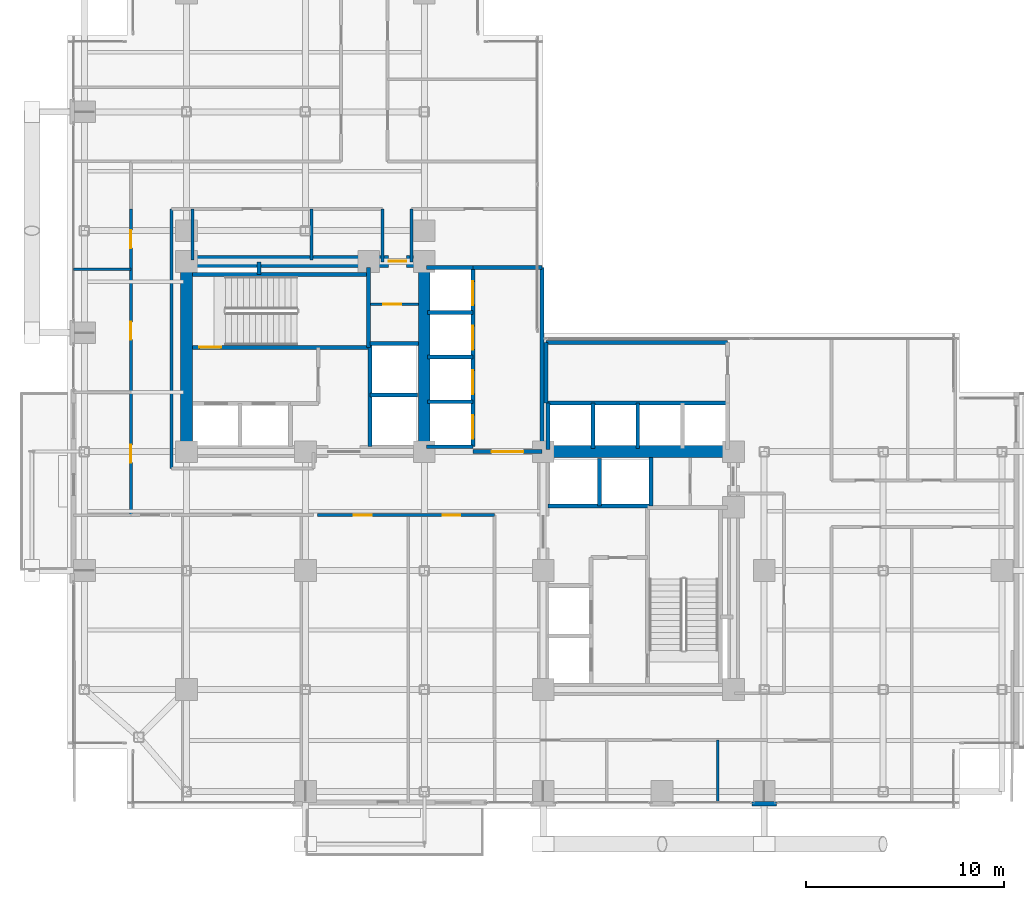
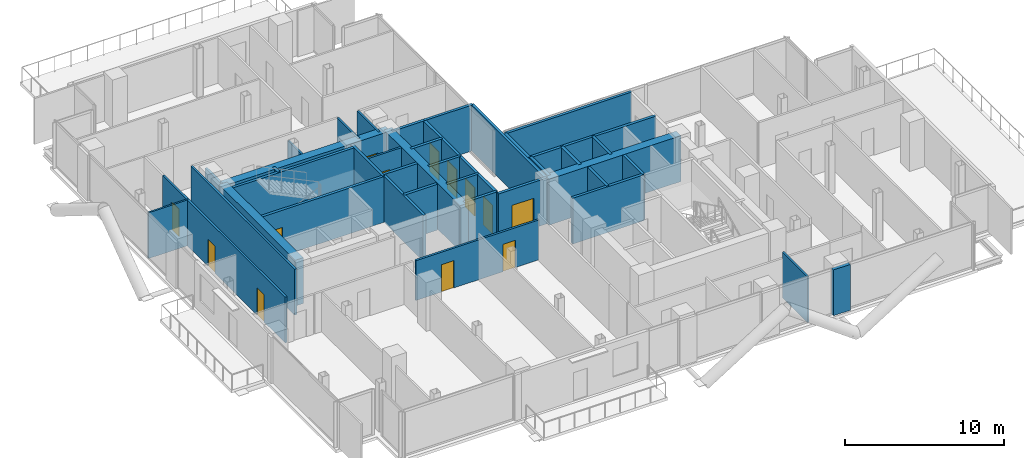
# One storey, part 21 of 26: 40 walls, 13 doors, 13 openings.
"""IFC4 building model written with IfcOpenShell, lengths in metres."""

from ifc_helpers import new_model, si_unit, direction, frame, frame_2d, origin, place, context, subcontext, project, spatial, rectangle, extrude, material, layer, layer_set, type_object, element, fill, save


model = new_model("IFC4")

# Units and contexts
model_context = context("Model", 3, precision=1e-05, world=origin(), true_north=direction((0.0, 1.0)))
body_context = subcontext(model_context, "Body", "Model", "MODEL_VIEW")
ifc_project = project(units=[si_unit("LENGTHUNIT", "METRE"), si_unit("AREAUNIT", "SQUARE_METRE"), si_unit("VOLUMEUNIT", "CUBIC_METRE"), si_unit("PLANEANGLEUNIT", "RADIAN"), si_unit("MASSUNIT", "GRAM", prefix="KILO"), si_unit("THERMODYNAMICTEMPERATUREUNIT", "KELVIN"), si_unit("POWERUNIT", "WATT")], contexts=[model_context])

# Site, building, storey
site_placement = place(None, origin())
site = spatial("IfcSite", under=ifc_project, at=site_placement, CompositionType="ELEMENT")
building_placement = place(site_placement, origin())
building = spatial("IfcBuilding", under=site, at=building_placement, Name="Svarakhadi Broadcast Tower", CompositionType="ELEMENT")
storey_placement = place(building_placement, frame((0.0, 0.0, 99.60009765625)))
storey = spatial("IfcBuildingStorey", under=building, at=storey_placement, Name="L23", CompositionType="ELEMENT", Elevation=99.60009765625)

# Walls
ifc_material_1 = material(Name="Concrete C40/50 (IS 456 M50)", Category="concrete")
ifc_layer_1 = layer(ifc_material_1, 0.239990234375)
ifc_layer_set_1 = layer_set([ifc_layer_1], Name="Concrete C40/50 (IS 456 M50)")
wall_type_1 = type_object("IfcWallType", Name="Wall_Ext_240", PredefinedType="SOLIDWALL", material=ifc_layer_set_1)
wall_1_placement = place(storey_placement, frame((35.764892578125, 0.239990234375, 0.0), z_axis=(0.0, 0.0, 1.0), x_axis=(-1.0, 0.0, 0.0)))
element("IfcWall", 1, at=wall_1_placement, inside=storey, type_object=wall_type_1, Name="L23 Perimeter Bronze Spandrel Closure Wall 04", PredefinedType="SOLIDWALL", context=body_context, shape_type="SweptSolid", body=[
    extrude(rectangle(XDim=1.22998046875, YDim=0.239990234375, at=frame_2d((0.614990234375, 0.0))), origin(), (0.0, 0.0, 1.0), 3.52490234375),
])
ifc_layer_2 = layer(ifc_material_1, 0.199951171875)
ifc_layer_set_2 = layer_set([ifc_layer_2], Name="Concrete C40/50 (IS 456 M50)")
wall_type_2 = type_object("IfcWallType", Name="Wall_Fire_200", PredefinedType="SOLIDWALL", material=ifc_layer_set_2)
wall_2_placement = place(storey_placement, frame((9.659912109375, 26.93994140625, 0.0), z_axis=(0.0, 0.0, 1.0), x_axis=(0.0, 1.0, 0.0)))
element("IfcWall", 2, at=wall_2_placement, inside=storey, type_object=wall_type_2, Name="L23 Wet Riser Shaft East Wall", PredefinedType="SOLIDWALL", context=body_context, shape_type="SweptSolid", body=[
    extrude(rectangle(XDim=0.64013671875, YDim=0.199951171875, at=frame_2d((0.320068359375, 0.0))), origin(), (0.0, 0.0, 1.0), 3.52490234375),
])
ifc_material_2 = material(Name="Fire-Rated Moisture-Resistant Gypsum Board Partition", Category="gypsum")
ifc_layer_3 = layer(ifc_material_2, 0.125)
ifc_layer_set_3 = layer_set([ifc_layer_3], Name="Fire-Rated Moisture-Resistant Gypsum Board Partition")
wall_type_3 = type_object("IfcWallType", Name="Wall_Part_125", PredefinedType="PARTITIONING", material=ifc_layer_set_3)
wall_3_placement = place(storey_placement, frame((0.300048828125, 27.199951171875, 0.0), z_axis=(0.0, 0.0, 1.0), x_axis=(1.0, 0.0, 0.0)))
element("IfcWall", 3, at=wall_3_placement, inside=storey, type_object=wall_type_3, Name="L23 Live Translation Studio Wall", PredefinedType="PARTITIONING", context=body_context, shape_type="SweptSolid", body=[
    extrude(rectangle(XDim=2.89990234375, YDim=0.125, at=frame_2d((1.449951171875, 0.0))), origin(), (0.0, 0.0, 1.0), 3.52490234375),
])
wall_4_placement = place(storey_placement, frame((32.800048828125, 0.300048828125, 0.0), z_axis=(0.0, 0.0, 1.0), x_axis=(0.0, 1.0, 0.0)))
element("IfcWall", 4, at=wall_4_placement, inside=storey, type_object=wall_type_3, Name="L23 Media Legal Review Office Wall", PredefinedType="PARTITIONING", context=body_context, shape_type="SweptSolid", body=[
    extrude(rectangle(XDim=3.14990234375, YDim=0.125, at=frame_2d((1.574951171875, 0.0))), origin(), (0.0, 0.0, 1.0), 3.52490234375),
])

# Wall, opening, door
ifc_material_3 = material(Name="Autoclaved Aerated Concrete Blockwork 150 mm", Category="masonry")
ifc_layer_4 = layer(ifc_material_3, 0.14990234375)
ifc_layer_set_4 = layer_set([ifc_layer_4], Name="Autoclaved Aerated Concrete Blockwork 150 mm")
wall_type_4 = type_object("IfcWallType", Name="Wall_Part_150", PredefinedType="PARTITIONING", material=ifc_layer_set_4)
wall_5_placement = place(storey_placement, frame((15.280029296875, 25.43994140625, 0.0), z_axis=(0.0, 0.0, 1.0), x_axis=(1.0, 0.0, 0.0)))
wall_5 = element("IfcWall", 5, at=wall_5_placement, inside=storey, type_object=wall_type_4, Name="L23 West Core Dual Store Wall", PredefinedType="PARTITIONING", context=body_context, shape_type="SweptSolid", body=[
    extrude(rectangle(XDim=2.419921875, YDim=0.14990234375, at=frame_2d((1.2099609375, 0.0))), origin(), (0.0, 0.0, 1.0), 3.52490234375),
])
opening_1_placement = place(wall_5_placement, frame((0.64990234375, 0.0, 0.0)))
opening_1 = element("IfcOpeningElement", 6, at=opening_1_placement, cuts=wall_5, Name="Opening D-03", PredefinedType="OPENING", context=body_context, shape_type="SweptSolid", body=[
    extrude(rectangle(XDim=0.89990234375, YDim=2.14990234375, at=frame_2d((0.449951171875, 1.074951171875))), frame((0.0, 0.0849609375, 0.0), z_axis=(0.0, -1.0, 0.0), x_axis=(1.0, 0.0, 0.0)), (0.0, 0.0, 1.0), 0.169921875),
])
ifc_material_4 = material(Name="Galvanised Powder-Coated Fire-Rated Steel Leaf", Category="steel")
door_type_1 = type_object("IfcDoorType", Name="Door_Fire_D03", OperationType="SINGLE_SWING_LEFT", PredefinedType="DOOR", material=ifc_material_4)
door_1_placement = place(opening_1_placement, origin())
door_1 = element("IfcDoor", 7, at=door_1_placement, inside=storey, type_object=door_type_1, Name="L23 West Core Store B Door", OperationType="SINGLE_SWING_LEFT", OverallHeight=2.14990234375, OverallWidth=0.89990234375, PredefinedType="DOOR", context=body_context, shape_type="SweptSolid", body=[
    extrude(rectangle(XDim=0.89990234375, YDim=2.14990234375, at=frame_2d((0.449951171875, 1.074951171875))), frame((0.0, 0.02490234375, 0.0), z_axis=(0.0, -1.0, 0.0), x_axis=(1.0, 0.0, 0.0)), (0.0, 0.0, 1.0), 0.050048828125),
])
fill(opening_1, door_1)

# Wall, openings, doors
wall_6_placement = place(storey_placement, frame((21.550048828125, 14.800048828125, 0.0), z_axis=(0.0, 0.0, 1.0), x_axis=(-1.0, 0.0, 0.0)))
wall_6 = element("IfcWall", 8, at=wall_6_placement, inside=storey, type_object=wall_type_4, Name="L23 Broadcast Corridor Wall", PredefinedType="PARTITIONING", context=body_context, shape_type="SweptSolid", body=[
    extrude(rectangle(XDim=8.949951171875, YDim=0.14990234375, at=frame_2d((4.47509765625, 0.0))), origin(), (0.0, 0.0, 1.0), 3.06689453125),
])
opening_2_placement = place(wall_6_placement, frame((6.199951171875, 0.0, 0.0)))
opening_2 = element("IfcOpeningElement", 9, at=opening_2_placement, cuts=wall_6, Name="Opening D-14", PredefinedType="OPENING", context=body_context, shape_type="SweptSolid", body=[
    extrude(rectangle(XDim=0.89990234375, YDim=2.10009765625, at=frame_2d((0.449951171875, 1.050048828125))), frame((0.0, 0.0849609375, 0.0), z_axis=(0.0, -1.0, 0.0), x_axis=(1.0, 0.0, 0.0)), (0.0, 0.0, 1.0), 0.169921875),
])
opening_3_placement = place(wall_6_placement, frame((1.72509765625, 0.0, 0.0)))
opening_3 = element("IfcOpeningElement", 10, at=opening_3_placement, cuts=wall_6, Name="Opening D-15", PredefinedType="OPENING", context=body_context, shape_type="SweptSolid", body=[
    extrude(rectangle(XDim=0.89990234375, YDim=2.10009765625, at=frame_2d((0.449951171875, 1.050048828125))), frame((0.0, 0.0849609375, 0.0), z_axis=(0.0, -1.0, 0.0), x_axis=(1.0, 0.0, 0.0)), (0.0, 0.0, 1.0), 0.169921875),
])
ifc_material_5 = material(Name="Solid-Core Teak Veneer Acoustic Timber Leaf", Category="wood")
door_type_2 = type_object("IfcDoorType", Name="Door_Int_D14", OperationType="SINGLE_SWING_LEFT", PredefinedType="DOOR", material=ifc_material_5)
door_2_placement = place(opening_2_placement, origin())
door_2 = element("IfcDoor", 11, at=door_2_placement, inside=storey, type_object=door_type_2, Name="L23 Regional Editors Room Door", OperationType="SINGLE_SWING_LEFT", OverallHeight=2.10009765625, OverallWidth=0.89990234375, PredefinedType="DOOR", context=body_context, shape_type="SweptSolid", body=[
    extrude(rectangle(XDim=0.89990234375, YDim=2.10009765625, at=frame_2d((0.449951171875, 1.050048828125))), frame((0.0, 0.02490234375, 0.0), z_axis=(0.0, -1.0, 0.0), x_axis=(1.0, 0.0, 0.0)), (0.0, 0.0, 1.0), 0.050048828125),
])
fill(opening_2, door_2)
door_type_3 = type_object("IfcDoorType", Name="Door_Int_D15", OperationType="SINGLE_SWING_RIGHT", PredefinedType="DOOR", material=ifc_material_5)
door_3_placement = place(opening_3_placement, origin())
door_3 = element("IfcDoor", 12, at=door_3_placement, inside=storey, type_object=door_type_3, Name="L23 Tea Pantry Door", OperationType="SINGLE_SWING_RIGHT", OverallHeight=2.10009765625, OverallWidth=0.89990234375, PredefinedType="DOOR", context=body_context, shape_type="SweptSolid", body=[
    extrude(rectangle(XDim=0.89990234375, YDim=2.10009765625, at=frame_2d((0.449951171875, 1.050048828125))), frame((0.0, 0.02490234375, 0.0), z_axis=(0.0, -1.0, 0.0), x_axis=(1.0, 0.0, 0.0)), (0.0, 0.0, 1.0), 0.050048828125),
])
fill(opening_3, door_3)

wall_7_placement = place(storey_placement, frame((3.199951171875, 14.800048828125, 0.0), z_axis=(0.0, 0.0, 1.0), x_axis=(0.0, 1.0, 0.0)))
wall_7 = element("IfcWall", 13, at=wall_7_placement, inside=storey, type_object=wall_type_4, Name="L23 Broadcast Corridor Wall", PredefinedType="PARTITIONING", context=body_context, shape_type="SweptSolid", body=[
    extrude(rectangle(XDim=15.449951171875, YDim=0.14990234375, at=frame_2d((7.72509765625, 0.0))), origin(), (0.0, 0.0, 1.0), 3.52490234375),
])
opening_4_placement = place(wall_7_placement, frame((2.64990234375, 0.0, 0.0)))
opening_4 = element("IfcOpeningElement", 14, at=opening_4_placement, cuts=wall_7, Name="Opening D-14", PredefinedType="OPENING", context=body_context, shape_type="SweptSolid", body=[
    extrude(rectangle(XDim=0.89990234375, YDim=2.10009765625, at=frame_2d((0.449951171875, 1.050048828125))), frame((0.0, 0.0849609375, 0.0), z_axis=(0.0, -1.0, 0.0), x_axis=(1.0, 0.0, 0.0)), (0.0, 0.0, 1.0), 0.169921875),
])
opening_5_placement = place(wall_7_placement, frame((8.85009765625, 0.0, 0.0)))
opening_5 = element("IfcOpeningElement", 15, at=opening_5_placement, cuts=wall_7, Name="Opening D-15", PredefinedType="OPENING", context=body_context, shape_type="SweptSolid", body=[
    extrude(rectangle(XDim=0.89990234375, YDim=2.10009765625, at=frame_2d((0.449951171875, 1.050048828125))), frame((0.0, 0.0849609375, 0.0), z_axis=(0.0, -1.0, 0.0), x_axis=(1.0, 0.0, 0.0)), (0.0, 0.0, 1.0), 0.169921875),
])
opening_6_placement = place(wall_7_placement, frame((13.47509765625, 0.0, 0.0)))
opening_6 = element("IfcOpeningElement", 16, at=opening_6_placement, cuts=wall_7, Name="Opening D-14", PredefinedType="OPENING", context=body_context, shape_type="SweptSolid", body=[
    extrude(rectangle(XDim=0.89990234375, YDim=2.10009765625, at=frame_2d((0.449951171875, 1.050048828125))), frame((0.0, 0.0849609375, 0.0), z_axis=(0.0, -1.0, 0.0), x_axis=(1.0, 0.0, 0.0)), (0.0, 0.0, 1.0), 0.169921875),
])
door_4_placement = place(opening_4_placement, origin())
door_4 = element("IfcDoor", 17, at=door_4_placement, inside=storey, type_object=door_type_2, Name="L23 Arabian Sea Commentary Booth Door", OperationType="SINGLE_SWING_LEFT", OverallHeight=2.10009765625, OverallWidth=0.89990234375, PredefinedType="DOOR", context=body_context, shape_type="SweptSolid", body=[
    extrude(rectangle(XDim=0.89990234375, YDim=2.10009765625, at=frame_2d((0.449951171875, 1.050048828125))), frame((0.0, 0.02490234375, 0.0), z_axis=(0.0, -1.0, 0.0), x_axis=(1.0, 0.0, 0.0)), (0.0, 0.0, 1.0), 0.050048828125),
])
fill(opening_4, door_4)
door_5_placement = place(opening_6_placement, origin())
door_5 = element("IfcDoor", 18, at=door_5_placement, inside=storey, type_object=door_type_2, Name="L23 Producer Quiet Lounge Door", OperationType="SINGLE_SWING_LEFT", OverallHeight=2.10009765625, OverallWidth=0.89990234375, PredefinedType="DOOR", context=body_context, shape_type="SweptSolid", body=[
    extrude(rectangle(XDim=0.89990234375, YDim=2.10009765625, at=frame_2d((0.449951171875, 1.050048828125))), frame((0.0, 0.02490234375, 0.0), z_axis=(0.0, -1.0, 0.0), x_axis=(1.0, 0.0, 0.0)), (0.0, 0.0, 1.0), 0.050048828125),
])
fill(opening_6, door_5)
door_6_placement = place(opening_5_placement, origin())
door_6 = element("IfcDoor", 19, at=door_6_placement, inside=storey, type_object=door_type_3, Name="L23 Live Translation Studio Door", OperationType="SINGLE_SWING_RIGHT", OverallHeight=2.10009765625, OverallWidth=0.89990234375, PredefinedType="DOOR", context=body_context, shape_type="SweptSolid", body=[
    extrude(rectangle(XDim=0.89990234375, YDim=2.10009765625, at=frame_2d((0.449951171875, 1.050048828125))), frame((0.0, 0.02490234375, 0.0), z_axis=(0.0, -1.0, 0.0), x_axis=(1.0, 0.0, 0.0)), (0.0, 0.0, 1.0), 0.050048828125),
])
fill(opening_5, door_6)

# Walls
for number, where, z_axis, x_axis, name in (
    (20, (17.35009765625, 30.25, 0.0), (0.0, 0.0, 1.0), (0.0, -1.0, 0.0), "L23 Broadcast Corridor Wall"),
    (21, (15.8798828125, 27.580078125, 0.0), (0.0, 0.0, 1.0), (0.0, 1.0, 0.0), "L23 Broadcast Corridor Wall"),
):
    element("IfcWall", number, at=place(storey_placement, frame(where, z_axis=z_axis, x_axis=x_axis)), inside=storey, type_object=wall_type_4, Name=name, PredefinedType="PARTITIONING", context=body_context, shape_type="SweptSolid", body=[
        extrude(rectangle(XDim=2.669921875, YDim=0.14990234375, at=frame_2d((1.3349609375, 0.0))), origin(), (0.0, 0.0, 1.0), 3.52490234375),
    ])
wall_8_placement = place(storey_placement, frame((5.25, 30.25, 0.0), z_axis=(0.0, 0.0, 1.0), x_axis=(0.0, -1.0, 0.0)))
element("IfcWall", 22, at=wall_8_placement, inside=storey, type_object=wall_type_4, Name="L23 Broadcast Corridor Wall", PredefinedType="PARTITIONING", context=body_context, shape_type="SweptSolid", body=[
    extrude(rectangle(XDim=13.10009765625, YDim=0.14990234375, at=frame_2d((6.550048828125, 0.0))), origin(), (0.0, 0.0, 1.0), 3.52490234375),
])
for number, where, z_axis, x_axis, name in (
    (23, (6.300048828125, 27.679931640625, 0.0), (0.0, 0.0, 1.0), (0.0, 1.0, 0.0), "L23 Accessible Toilet WC Wall"),
    (24, (12.300048828125, 27.679931640625, 0.0), (0.0, 0.0, 1.0), (0.0, 1.0, 0.0), "L23 Accessible Toilet WC Wall"),
):
    element("IfcWall", number, at=place(storey_placement, frame(where, z_axis=z_axis, x_axis=x_axis)), inside=storey, type_object=wall_type_4, Name=name, PredefinedType="PARTITIONING", context=body_context, shape_type="SweptSolid", body=[
        extrude(rectangle(XDim=2.570068359375, YDim=0.14990234375, at=frame_2d((1.28515625, 0.0))), origin(), (0.0, 0.0, 1.0), 3.016845703125),
    ])

# Wall, opening, door
ifc_material_6 = material(Name="Concrete C50/60 (IS 456 M60)", Category="concrete")
ifc_layer_5 = layer(ifc_material_6, 0.199951171875)
ifc_layer_set_5 = layer_set([ifc_layer_5], Name="Concrete C50/60 (IS 456 M60)")
wall_type_5 = type_object("IfcWallType", Name="Wall_Shear_200", PredefinedType="SHEAR", material=ifc_layer_set_5)
wall_9_placement = place(storey_placement, frame((6.300048828125, 23.260009765625, 0.0), z_axis=(0.0, 0.0, 1.0), x_axis=(1.0, 0.0, 0.0)))
wall_9 = element("IfcWall", 25, at=wall_9_placement, inside=storey, type_object=wall_type_5, Name="L23 Stair ST-01 South RC Shaft Wall", PredefinedType="SHEAR", context=body_context, shape_type="SweptSolid", body=[
    extrude(rectangle(XDim=8.8798828125, YDim=0.199951171875, at=frame_2d((4.43994140625, 0.0))), origin(), (0.0, 0.0, 1.0), 3.52490234375),
])
opening_7_placement = place(wall_9_placement, frame((0.35009765625, 0.0, 0.0)))
opening_7 = element("IfcOpeningElement", 26, at=opening_7_placement, cuts=wall_9, Name="Opening D-01", PredefinedType="OPENING", context=body_context, shape_type="SweptSolid", body=[
    extrude(rectangle(XDim=1.10009765625, YDim=2.199951171875, at=frame_2d((0.550048828125, 1.10009765625))), frame((0.0, 0.10986328125, 0.0), z_axis=(0.0, -1.0, 0.0), x_axis=(1.0, 0.0, 0.0)), (0.0, 0.0, 1.0), 0.219970703125),
])
door_type_4 = type_object("IfcDoorType", Name="Door_Stair_D01", OperationType="SINGLE_SWING_LEFT", PredefinedType="DOOR", material=ifc_material_4)
door_7_placement = place(opening_7_placement, origin())
door_7 = element("IfcDoor", 27, at=door_7_placement, inside=storey, type_object=door_type_4, Name="L23 Protected Exit Stair ST-01 Fire Door", OperationType="SINGLE_SWING_LEFT", OverallHeight=2.199951171875, OverallWidth=1.10009765625, PredefinedType="DOOR", context=body_context, shape_type="SweptSolid", body=[
    extrude(rectangle(XDim=1.10009765625, YDim=2.199951171875, at=frame_2d((0.550048828125, 1.10009765625))), frame((0.0, 0.02490234375, 0.0), z_axis=(0.0, -1.0, 0.0), x_axis=(1.0, 0.0, 0.0)), (0.0, 0.0, 1.0), 0.050048828125),
])
fill(opening_7, door_7)

# Walls
wall_10_placement = place(storey_placement, frame((6.300048828125, 26.93994140625, 0.0), z_axis=(0.0, 0.0, 1.0), x_axis=(1.0, 0.0, 0.0)))
element("IfcWall", 28, at=wall_10_placement, inside=storey, type_object=wall_type_5, Name="L23 Stair ST-01 North RC Shaft Wall", PredefinedType="SHEAR", context=body_context, shape_type="SweptSolid", body=[
    extrude(rectangle(XDim=8.8798828125, YDim=0.199951171875, at=frame_2d((4.43994140625, 0.0))), origin(), (0.0, 0.0, 1.0), 3.52490234375),
])
wall_11_placement = place(storey_placement, frame((15.179931640625, 23.260009765625, 0.0), z_axis=(0.0, 0.0, 1.0), x_axis=(0.0, 1.0, 0.0)))
element("IfcWall", 29, at=wall_11_placement, inside=storey, type_object=wall_type_5, Name="L23 Stair ST-01 East RC Shaft Wall", PredefinedType="SHEAR", context=body_context, shape_type="SweptSolid", body=[
    extrude(rectangle(XDim=4.0400390625, YDim=0.199951171875, at=frame_2d((2.02001953125, 0.0))), origin(), (0.0, 0.0, 1.0), 3.52490234375),
])
wall_12_placement = place(storey_placement, frame((15.25, 18.25, 0.0), z_axis=(0.0, 0.0, 1.0), x_axis=(0.0, 1.0, 0.0)))
element("IfcWall", 30, at=wall_12_placement, inside=storey, type_object=wall_type_5, Name="L23 High-Rise Lift LF-13/14 West Shaft Wall", PredefinedType="SHEAR", context=body_context, shape_type="SweptSolid", body=[
    extrude(rectangle(XDim=5.199951171875, YDim=0.199951171875, at=frame_2d((2.60009765625, 0.0))), origin(), (0.0, 0.0, 1.0), 3.52490234375),
])
wall_13_placement = place(storey_placement, frame((15.25, 20.85009765625, 0.0), z_axis=(0.0, 0.0, 1.0), x_axis=(1.0, 0.0, 0.0)))
element("IfcWall", 31, at=wall_13_placement, inside=storey, type_object=wall_type_5, Name="L23 High-Rise Lift LF-13/14 Divider", PredefinedType="SHEAR", context=body_context, shape_type="SweptSolid", body=[
    extrude(rectangle(XDim=2.39990234375, YDim=0.199951171875, at=frame_2d((1.199951171875, 0.0))), origin(), (0.0, 0.0, 1.0), 3.52490234375),
])
wall_14_placement = place(storey_placement, frame((15.25, 23.449951171875, 0.0), z_axis=(0.0, 0.0, 1.0), x_axis=(1.0, 0.0, 0.0)))
element("IfcWall", 32, at=wall_14_placement, inside=storey, type_object=wall_type_5, Name="L23 High-Rise Lift LF-13/14 North Wall", PredefinedType="SHEAR", context=body_context, shape_type="SweptSolid", body=[
    extrude(rectangle(XDim=2.449951171875, YDim=0.199951171875, at=frame_2d((1.22509765625, 0.0))), origin(), (0.0, 0.0, 1.0), 3.52490234375),
])
wall_15_placement = place(storey_placement, frame((24.25, 15.25, 0.0), z_axis=(0.0, 0.0, 1.0), x_axis=(1.0, 0.0, 0.0)))
element("IfcWall", 33, at=wall_15_placement, inside=storey, type_object=wall_type_5, Name="L23 High-Rise Lift LF-15/16 South Shaft Wall", PredefinedType="SHEAR", context=body_context, shape_type="SweptSolid", body=[
    extrude(rectangle(XDim=5.199951171875, YDim=0.199951171875, at=frame_2d((2.60009765625, 0.0))), origin(), (0.0, 0.0, 1.0), 3.52490234375),
])
wall_16_placement = place(storey_placement, frame((26.85009765625, 15.25, 0.0), z_axis=(0.0, 0.0, 1.0), x_axis=(0.0, 1.0, 0.0)))
element("IfcWall", 34, at=wall_16_placement, inside=storey, type_object=wall_type_5, Name="L23 High-Rise Lift LF-15/16 Divider", PredefinedType="SHEAR", context=body_context, shape_type="SweptSolid", body=[
    extrude(rectangle(XDim=2.39990234375, YDim=0.199951171875, at=frame_2d((1.199951171875, 0.0))), origin(), (0.0, 0.0, 1.0), 3.52490234375),
])
wall_17_placement = place(storey_placement, frame((29.449951171875, 15.25, 0.0), z_axis=(0.0, 0.0, 1.0), x_axis=(0.0, 1.0, 0.0)))
element("IfcWall", 35, at=wall_17_placement, inside=storey, type_object=wall_type_5, Name="L23 High-Rise Lift LF-15/16 East Wall", PredefinedType="SHEAR", context=body_context, shape_type="SweptSolid", body=[
    extrude(rectangle(XDim=2.449951171875, YDim=0.199951171875, at=frame_2d((1.22509765625, 0.0))), origin(), (0.0, 0.0, 1.0), 3.52490234375),
])
for number, where, z_axis, x_axis, name in (
    (36, (18.10009765625, 27.300048828125, 0.0), (0.0, 0.0, 1.0), (1.0, 0.0, 0.0), "L23 Bank A North Shaft Wall"),
    (37, (18.10009765625, 18.25, 0.0), (0.0, 0.0, 1.0), (1.0, 0.0, 0.0), "L23 Bank A South Shaft Wall"),
):
    element("IfcWall", number, at=place(storey_placement, frame(where, z_axis=z_axis, x_axis=x_axis)), inside=storey, type_object=wall_type_5, Name=name, PredefinedType="SHEAR", context=body_context, shape_type="SweptSolid", body=[
        extrude(rectangle(XDim=2.349853515625, YDim=0.199951171875, at=frame_2d((1.1748046875, 0.0))), origin(), (0.0, 0.0, 1.0), 3.52490234375),
    ])

# Wall, openings, doors
wall_18_placement = place(storey_placement, frame((20.449951171875, 18.25, 0.0), z_axis=(0.0, 0.0, 1.0), x_axis=(0.0, 1.0, 0.0)))
wall_18 = element("IfcWall", 38, at=wall_18_placement, inside=storey, type_object=wall_type_5, Name="L23 Bank A East Landing Wall", PredefinedType="SHEAR", context=body_context, shape_type="SweptSolid", body=[
    extrude(rectangle(XDim=9.050048828125, YDim=0.199951171875, at=frame_2d((4.52490234375, 0.0))), origin(), (0.0, 0.0, 1.0), 3.52490234375),
])
opening_8_placement = place(wall_18_placement, frame((0.39990234375, 0.0, 0.0)))
opening_8 = element("IfcOpeningElement", 39, at=opening_8_placement, cuts=wall_18, Name="Opening LD-02", PredefinedType="OPENING", context=body_context, shape_type="SweptSolid", body=[
    extrude(rectangle(XDim=1.199951171875, YDim=2.199951171875, at=frame_2d((0.60009765625, 1.10009765625))), frame((0.0, 0.10986328125, 0.0), z_axis=(0.0, -1.0, 0.0), x_axis=(1.0, 0.0, 0.0)), (0.0, 0.0, 1.0), 0.219970703125),
])
opening_9_placement = place(wall_18_placement, frame((2.64990234375, 0.0, 0.0)))
opening_9 = element("IfcOpeningElement", 40, at=opening_9_placement, cuts=wall_18, Name="Opening LD-02", PredefinedType="OPENING", context=body_context, shape_type="SweptSolid", body=[
    extrude(rectangle(XDim=1.199951171875, YDim=2.199951171875, at=frame_2d((0.60009765625, 1.10009765625))), frame((0.0, 0.10986328125, 0.0), z_axis=(0.0, -1.0, 0.0), x_axis=(1.0, 0.0, 0.0)), (0.0, 0.0, 1.0), 0.219970703125),
])
opening_10_placement = place(wall_18_placement, frame((4.89990234375, 0.0, 0.0)))
opening_10 = element("IfcOpeningElement", 41, at=opening_10_placement, cuts=wall_18, Name="Opening LD-02", PredefinedType="OPENING", context=body_context, shape_type="SweptSolid", body=[
    extrude(rectangle(XDim=1.199951171875, YDim=2.199951171875, at=frame_2d((0.60009765625, 1.10009765625))), frame((0.0, 0.10986328125, 0.0), z_axis=(0.0, -1.0, 0.0), x_axis=(1.0, 0.0, 0.0)), (0.0, 0.0, 1.0), 0.219970703125),
])
opening_11_placement = place(wall_18_placement, frame((7.14990234375, 0.0, 0.0)))
opening_11 = element("IfcOpeningElement", 42, at=opening_11_placement, cuts=wall_18, Name="Opening LD-02", PredefinedType="OPENING", context=body_context, shape_type="SweptSolid", body=[
    extrude(rectangle(XDim=1.199951171875, YDim=2.199951171875, at=frame_2d((0.60009765625, 1.10009765625))), frame((0.0, 0.10986328125, 0.0), z_axis=(0.0, -1.0, 0.0), x_axis=(1.0, 0.0, 0.0)), (0.0, 0.0, 1.0), 0.219970703125),
])
door_type_5 = type_object("IfcDoorType", Name="Door_Lift_LD02", OperationType="SLIDING_TO_RIGHT", PredefinedType="DOOR", material=ifc_material_4)
door_8_placement = place(opening_8_placement, origin())
door_8 = element("IfcDoor", 43, at=door_8_placement, inside=storey, type_object=door_type_5, Name="L23 Low-Rise Lift LF-05 Landing Door", OperationType="SLIDING_TO_RIGHT", OverallHeight=2.199951171875, OverallWidth=1.199951171875, PredefinedType="DOOR", context=body_context, shape_type="SweptSolid", body=[
    extrude(rectangle(XDim=1.199951171875, YDim=2.199951171875, at=frame_2d((0.60009765625, 1.10009765625))), frame((0.0, 0.02490234375, 0.0), z_axis=(0.0, -1.0, 0.0), x_axis=(1.0, 0.0, 0.0)), (0.0, 0.0, 1.0), 0.050048828125),
])
fill(opening_8, door_8)
door_9_placement = place(opening_9_placement, origin())
door_9 = element("IfcDoor", 44, at=door_9_placement, inside=storey, type_object=door_type_5, Name="L23 Low-Rise Lift LF-06 Landing Door", OperationType="SLIDING_TO_RIGHT", OverallHeight=2.199951171875, OverallWidth=1.199951171875, PredefinedType="DOOR", context=body_context, shape_type="SweptSolid", body=[
    extrude(rectangle(XDim=1.199951171875, YDim=2.199951171875, at=frame_2d((0.60009765625, 1.10009765625))), frame((0.0, 0.02490234375, 0.0), z_axis=(0.0, -1.0, 0.0), x_axis=(1.0, 0.0, 0.0)), (0.0, 0.0, 1.0), 0.050048828125),
])
fill(opening_9, door_9)
door_10_placement = place(opening_10_placement, origin())
door_10 = element("IfcDoor", 45, at=door_10_placement, inside=storey, type_object=door_type_5, Name="L23 Low-Rise Lift LF-07 Landing Door", OperationType="SLIDING_TO_RIGHT", OverallHeight=2.199951171875, OverallWidth=1.199951171875, PredefinedType="DOOR", context=body_context, shape_type="SweptSolid", body=[
    extrude(rectangle(XDim=1.199951171875, YDim=2.199951171875, at=frame_2d((0.60009765625, 1.10009765625))), frame((0.0, 0.02490234375, 0.0), z_axis=(0.0, -1.0, 0.0), x_axis=(1.0, 0.0, 0.0)), (0.0, 0.0, 1.0), 0.050048828125),
])
fill(opening_10, door_10)
door_11_placement = place(opening_11_placement, origin())
door_11 = element("IfcDoor", 46, at=door_11_placement, inside=storey, type_object=door_type_5, Name="L23 Low-Rise Lift LF-08 Landing Door", OperationType="SLIDING_TO_RIGHT", OverallHeight=2.199951171875, OverallWidth=1.199951171875, PredefinedType="DOOR", context=body_context, shape_type="SweptSolid", body=[
    extrude(rectangle(XDim=1.199951171875, YDim=2.199951171875, at=frame_2d((0.60009765625, 1.10009765625))), frame((0.0, 0.02490234375, 0.0), z_axis=(0.0, -1.0, 0.0), x_axis=(1.0, 0.0, 0.0)), (0.0, 0.0, 1.0), 0.050048828125),
])
fill(opening_11, door_11)

# Walls
for number, where, z_axis, x_axis, name in (
    (47, (18.14990234375, 20.52001953125, 0.0), (0.0, 0.0, 1.0), (1.0, 0.0, 0.0), "L23 Bank A Divider"),
    (48, (18.14990234375, 22.77001953125, 0.0), (0.0, 0.0, 1.0), (1.0, 0.0, 0.0), "L23 Bank A Divider"),
    (49, (18.14990234375, 25.02001953125, 0.0), (0.0, 0.0, 1.0), (1.0, 0.0, 0.0), "L23 Bank A Divider"),
):
    element("IfcWall", number, at=place(storey_placement, frame(where, z_axis=z_axis, x_axis=x_axis)), inside=storey, type_object=wall_type_5, Name=name, PredefinedType="SHEAR", context=body_context, shape_type="SweptSolid", body=[
        extrude(rectangle(XDim=2.300048828125, YDim=0.199951171875, at=frame_2d((1.14990234375, 0.0))), origin(), (0.0, 0.0, 1.0), 3.52490234375),
    ])

# Wall, opening, door
wall_19_placement = place(storey_placement, frame((20.449951171875, 18.0, 0.0), z_axis=(0.0, 0.0, 1.0), x_axis=(1.0, 0.0, 0.0)))
wall_19 = element("IfcWall", 50, at=wall_19_placement, inside=storey, type_object=wall_type_5, Name="L23 Bank A Lift Hall South Wall", PredefinedType="SHEAR", context=body_context, shape_type="SweptSolid", body=[
    extrude(rectangle(XDim=3.5, YDim=0.199951171875, at=frame_2d((1.75, 0.0))), origin(), (0.0, 0.0, 1.0), 3.52490234375),
])
opening_12_placement = place(wall_19_placement, frame((0.949951171875, 0.0, 0.0)))
opening_12 = element("IfcOpeningElement", 51, at=opening_12_placement, cuts=wall_19, Name="Opening D-05", PredefinedType="OPENING", context=body_context, shape_type="SweptSolid", body=[
    extrude(rectangle(XDim=1.60009765625, YDim=2.300048828125, at=frame_2d((0.800048828125, 1.14990234375))), frame((0.0, 0.10986328125, 0.0), z_axis=(0.0, -1.0, 0.0), x_axis=(1.0, 0.0, 0.0)), (0.0, 0.0, 1.0), 0.219970703125),
])
ifc_material_7 = material(Name="Anodised Bronze Aluminium AA 6063-T6", Category="aluminium")
door_type_6 = type_object("IfcDoorType", Name="Door_Lobby_D05", OperationType="DOUBLE_DOOR_SLIDING", PredefinedType="DOOR", material=ifc_material_7)
door_12_placement = place(opening_12_placement, origin())
door_12 = element("IfcDoor", 52, at=door_12_placement, inside=storey, type_object=door_type_6, Name="L23 Low-Rise Lift Hall Corridor Door", OperationType="DOUBLE_DOOR_SLIDING", OverallHeight=2.300048828125, OverallWidth=1.60009765625, PredefinedType="DOOR", context=body_context, shape_type="SweptSolid", body=[
    extrude(rectangle(XDim=1.60009765625, YDim=2.300048828125, at=frame_2d((0.800048828125, 1.14990234375))), frame((0.0, 0.02490234375, 0.0), z_axis=(0.0, -1.0, 0.0), x_axis=(1.0, 0.0, 0.0)), (0.0, 0.0, 1.0), 0.050048828125),
])
fill(opening_12, door_12)

# Walls
wall_20_placement = place(storey_placement, frame((20.449951171875, 27.300048828125, 0.0), z_axis=(0.0, 0.0, 1.0), x_axis=(1.0, 0.0, 0.0)))
element("IfcWall", 53, at=wall_20_placement, inside=storey, type_object=wall_type_5, Name="L23 Bank A Lift Hall North Wall", PredefinedType="SHEAR", context=body_context, shape_type="SweptSolid", body=[
    extrude(rectangle(XDim=3.5, YDim=0.199951171875, at=frame_2d((1.75, 0.0))), origin(), (0.0, 0.0, 1.0), 3.52490234375),
])
wall_21_placement = place(storey_placement, frame((23.949951171875, 18.0, 0.0), z_axis=(0.0, 0.0, 1.0), x_axis=(0.0, 1.0, 0.0)))
element("IfcWall", 54, at=wall_21_placement, inside=storey, type_object=wall_type_5, Name="L23 Bank A Lift Hall East Wall", PredefinedType="SHEAR", context=body_context, shape_type="SweptSolid", body=[
    extrude(rectangle(XDim=9.300048828125, YDim=0.199951171875, at=frame_2d((4.64990234375, 0.0))), origin(), (0.0, 0.0, 1.0), 3.52490234375),
])
wall_22_placement = place(storey_placement, frame((24.25, 18.10009765625, 0.0), z_axis=(0.0, 0.0, 1.0), x_axis=(0.0, 1.0, 0.0)))
element("IfcWall", 55, at=wall_22_placement, inside=storey, type_object=wall_type_5, Name="L23 Bank B West Shaft Wall", PredefinedType="SHEAR", context=body_context, shape_type="SweptSolid", body=[
    extrude(rectangle(XDim=2.349853515625, YDim=0.199951171875, at=frame_2d((1.1748046875, 0.0))), origin(), (0.0, 0.0, 1.0), 3.52490234375),
])
wall_23_placement = place(storey_placement, frame((24.25, 20.449951171875, 0.0), z_axis=(0.0, 0.0, 1.0), x_axis=(1.0, 0.0, 0.0)))
element("IfcWall", 56, at=wall_23_placement, inside=storey, type_object=wall_type_5, Name="L23 Bank B North Landing Wall", PredefinedType="SHEAR", context=body_context, shape_type="SweptSolid", body=[
    extrude(rectangle(XDim=9.050048828125, YDim=0.199951171875, at=frame_2d((4.52490234375, 0.0))), origin(), (0.0, 0.0, 1.0), 3.52490234375),
])
for number, where, z_axis, x_axis, name in (
    (57, (26.52001953125, 18.14990234375, 0.0), (0.0, 0.0, 1.0), (0.0, 1.0, 0.0), "L23 Bank B Divider"),
    (58, (28.77001953125, 18.14990234375, 0.0), (0.0, 0.0, 1.0), (0.0, 1.0, 0.0), "L23 Bank B Divider"),
):
    element("IfcWall", number, at=place(storey_placement, frame(where, z_axis=z_axis, x_axis=x_axis)), inside=storey, type_object=wall_type_5, Name=name, PredefinedType="SHEAR", context=body_context, shape_type="SweptSolid", body=[
        extrude(rectangle(XDim=2.300048828125, YDim=0.199951171875, at=frame_2d((1.14990234375, 0.0))), origin(), (0.0, 0.0, 1.0), 3.52490234375),
    ])
wall_24_placement = place(storey_placement, frame((24.14990234375, 23.5, 0.0), z_axis=(0.0, 0.0, 1.0), x_axis=(1.0, 0.0, 0.0)))
element("IfcWall", 59, at=wall_24_placement, inside=storey, type_object=wall_type_5, Name="L23 Bank B Lift Hall North Wall", PredefinedType="SHEAR", context=body_context, shape_type="SweptSolid", body=[
    extrude(rectangle(XDim=9.150146484375, YDim=0.199951171875, at=frame_2d((4.5751953125, 0.0))), origin(), (0.0, 0.0, 1.0), 3.52490234375),
])
wall_25_placement = place(storey_placement, frame((24.14990234375, 20.449951171875, 0.0), z_axis=(0.0, 0.0, 1.0), x_axis=(0.0, 1.0, 0.0)))
element("IfcWall", 60, at=wall_25_placement, inside=storey, type_object=wall_type_5, Name="L23 Bank B Lift Hall West Wall", PredefinedType="SHEAR", context=body_context, shape_type="SweptSolid", body=[
    extrude(rectangle(XDim=3.050048828125, YDim=0.199951171875, at=frame_2d((1.52490234375, 0.0))), origin(), (0.0, 0.0, 1.0), 3.52490234375),
])

# Wall, opening, door
ifc_material_8 = material(Name="Concrete C60/75 (IS 456 M70)", Category="concrete")
ifc_layer_6 = layer(ifc_material_8, 0.60009765625)
ifc_layer_set_6 = layer_set([ifc_layer_6], Name="Concrete C60/75 (IS 456 M70)")
wall_type_6 = type_object("IfcWallType", Name="Wall_Shear_600", PredefinedType="SHEAR", material=ifc_layer_set_6)
wall_26_placement = place(storey_placement, frame((6.0, 27.60009765625, 0.0), z_axis=(0.0, 0.0, 1.0), x_axis=(1.0, 0.0, 0.0)))
wall_26 = element("IfcWall", 61, at=wall_26_placement, inside=storey, type_object=wall_type_6, Name="L23 West Core North Shear Wall", PredefinedType="SHEAR", context=body_context, shape_type="SweptSolid", body=[
    extrude(rectangle(XDim=12.0, YDim=0.60009765625, at=frame_2d((6.0, 0.0))), origin(), (0.0, 0.0, 1.0), 3.52490234375),
])
opening_13_placement = place(wall_26_placement, frame((10.199951171875, 0.0, 0.0)))
opening_13 = element("IfcOpeningElement", 62, at=opening_13_placement, cuts=wall_26, Name="Opening D-04", PredefinedType="OPENING", context=body_context, shape_type="SweptSolid", body=[
    extrude(rectangle(XDim=0.89990234375, YDim=2.14990234375, at=frame_2d((0.449951171875, 1.074951171875))), frame((0.0, 0.31005859375, 0.0), z_axis=(0.0, -1.0, 0.0), x_axis=(1.0, 0.0, 0.0)), (0.0, 0.0, 1.0), 0.6201171875),
])
door_type_7 = type_object("IfcDoorType", Name="Door_Fire_D04", OperationType="SINGLE_SWING_RIGHT", PredefinedType="DOOR", material=ifc_material_4)
door_13_placement = place(opening_13_placement, origin())
door_13 = element("IfcDoor", 63, at=door_13_placement, inside=storey, type_object=door_type_7, Name="L23 West Core Store A Door", OperationType="SINGLE_SWING_RIGHT", OverallHeight=2.14990234375, OverallWidth=0.89990234375, PredefinedType="DOOR", context=body_context, shape_type="SweptSolid", body=[
    extrude(rectangle(XDim=0.89990234375, YDim=2.14990234375, at=frame_2d((0.449951171875, 1.074951171875))), frame((0.0, 0.02490234375, 0.0), z_axis=(0.0, -1.0, 0.0), x_axis=(1.0, 0.0, 0.0)), (0.0, 0.0, 1.0), 0.050048828125),
])
fill(opening_13, door_13)

# Walls
for number, where, z_axis, x_axis, name in (
    (64, (6.0, 18.0, 0.0), (0.0, 0.0, 1.0), (0.0, 1.0, 0.0), "L23 West Core West Shear Wall"),
    (65, (18.0, 18.0, 0.0), (0.0, 0.0, 1.0), (0.0, 1.0, 0.0), "L23 West Core East Shear Wall"),
    (66, (24.0, 18.0, 0.0), (0.0, 0.0, 1.0), (1.0, 0.0, 0.0), "L23 East Core North Shear Wall"),
):
    element("IfcWall", number, at=place(storey_placement, frame(where, z_axis=z_axis, x_axis=x_axis)), inside=storey, type_object=wall_type_6, Name=name, PredefinedType="SHEAR", context=body_context, shape_type="SweptSolid", body=[
        extrude(rectangle(XDim=9.60009765625, YDim=0.60009765625, at=frame_2d((4.800048828125, 0.0))), origin(), (0.0, 0.0, 1.0), 3.52490234375),
    ])

save(model, "model.ifc")
